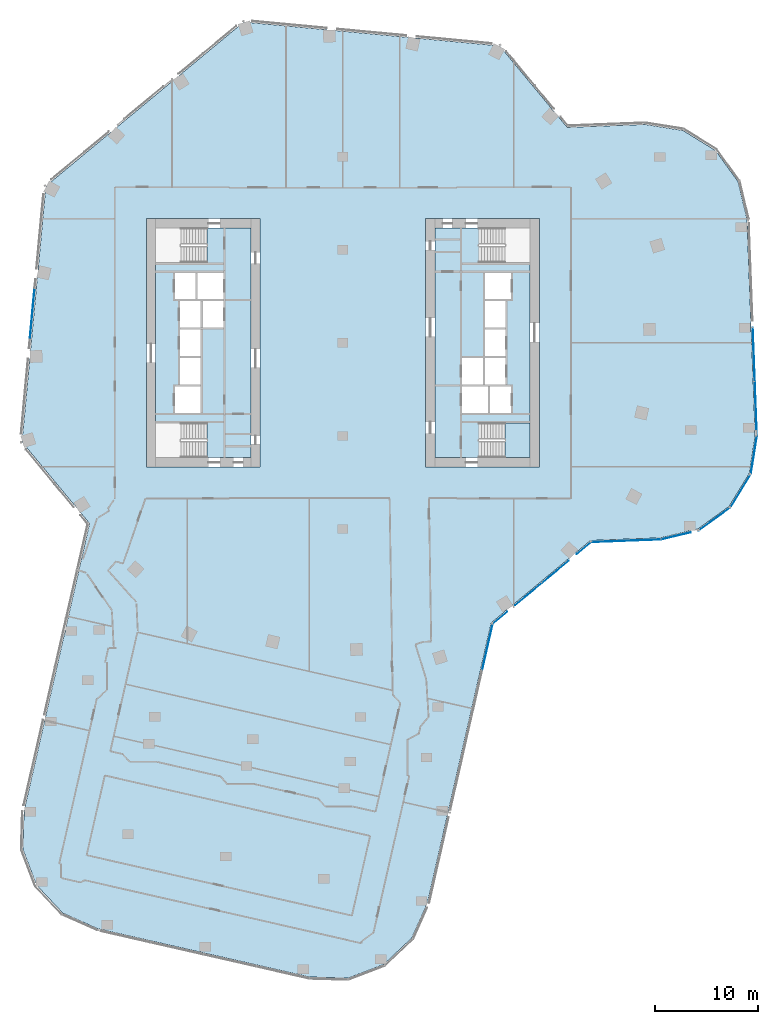
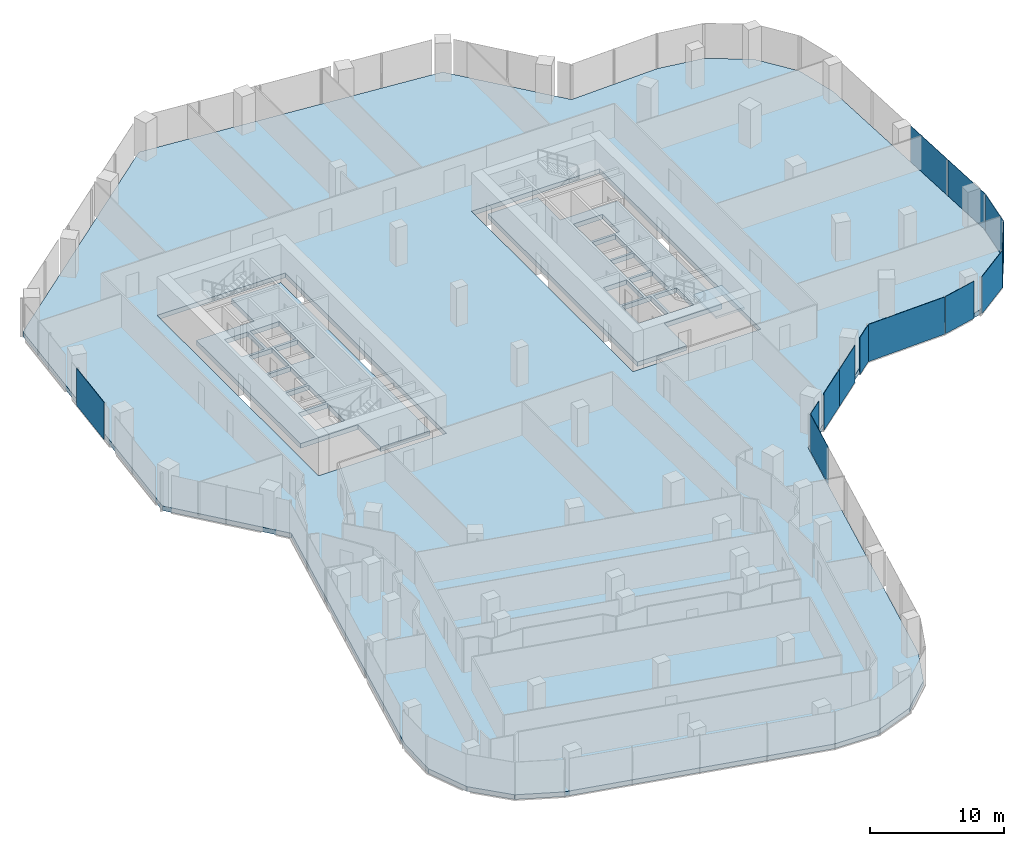
# One storey, part 15 of 24: 13 plates, 4 slabs, 10 elements without a shape of their own.
"""IFC4 building model written with IfcOpenShell, lengths in metres."""

from ifc_helpers import new_model, si_unit, direction, frame, origin, origin_2d, place, context, subcontext, project, spatial, polyline, rectangle, outline, extrude, material, layer, layer_set, type_object, element, aggregate, save


model = new_model("IFC4")

# Units and contexts
model_context = context("Model", 3, precision=1e-05, world=origin(), true_north=direction((0.0, 1.0)))
body_context = subcontext(model_context, "Body", "Model", "MODEL_VIEW")
ifc_project = project(units=[si_unit("LENGTHUNIT", "METRE"), si_unit("AREAUNIT", "SQUARE_METRE"), si_unit("VOLUMEUNIT", "CUBIC_METRE"), si_unit("PLANEANGLEUNIT", "RADIAN"), si_unit("MASSUNIT", "GRAM", prefix="KILO")], contexts=[model_context])

# Site, building, storey
site_placement = place(None, origin())
site = spatial("IfcSite", under=ifc_project, at=site_placement, CompositionType="ELEMENT")
building_placement = place(site_placement, origin())
building = spatial("IfcBuilding", under=site, at=building_placement, Name="Orlundy Tower", CompositionType="ELEMENT")
storey_placement = place(building_placement, frame((0.0, 0.0, 170.60009765625)))
storey = spatial("IfcBuildingStorey", under=building, at=storey_placement, Name="L44", CompositionType="ELEMENT", Elevation=170.60009765625)

# Curtain wall, plate
ifc_material_1 = material(Name="Aluminium bronze anodised", Category="aluminium")
curtain_wall_type = type_object("IfcCurtainWallType", Name="CW1 wall", PredefinedType="NOTDEFINED", material=ifc_material_1)
curtain_wall_1_placement = place(storey_placement, origin())
curtain_wall_1 = element("IfcCurtainWall", 1, at=curtain_wall_1_placement, inside=storey, type_object=curtain_wall_type, Name="CW1 run 02", PredefinedType="NOTDEFINED")
ifc_material_2 = material(Name="Tinted glass", Category="glass")
ifc_layer_1 = layer(ifc_material_2, 0.031982421875)
ifc_layer_set_1 = layer_set([ifc_layer_1], Name="CW1 glass panel 32")
plate_type = type_object("IfcPlateType", Name="CW1 glass panel 32", PredefinedType="CURTAIN_PANEL", material=ifc_layer_set_1)
plate_1_placement = place(storey_placement, frame((-30.033203125, 2.8037109375, -0.300048828125), z_axis=(0.0, 0.0, 1.0), x_axis=(0.092948066811, 0.995670958136, 0.0)))
plate_1 = element("IfcPlate", 2, at=plate_1_placement, type_object=plate_type, Name="CW1 panel", PredefinedType="CURTAIN_PANEL", context=body_context, shape_type="SweptSolid", body=[
    extrude(rectangle(XDim=4.92041015625, YDim=0.031982421875, at=origin_2d()), origin(), (0.0, 0.0, 1.0), 3.3798828125),
])
aggregate(curtain_wall_1, [plate_1])

# Curtain wall, plates
curtain_wall_2_placement = place(storey_placement, origin())
curtain_wall_2 = element("IfcCurtainWall", 3, at=curtain_wall_2_placement, inside=storey, type_object=curtain_wall_type, Name="CW1 run 011", PredefinedType="NOTDEFINED")
plate_2_placement = place(storey_placement, frame((39.735107421875, -1.12353515625, -0.300048828125), z_axis=(0.0, 0.0, 1.0), x_axis=(0.03780949547, -0.999284965389, 0.0)))
plate_2 = element("IfcPlate", 4, at=plate_2_placement, type_object=plate_type, Name="CW1 panel", PredefinedType="CURTAIN_PANEL", context=body_context, shape_type="SweptSolid", body=[
    extrude(rectangle(XDim=5.199951171875, YDim=0.031982421875, at=origin_2d()), origin(), (0.0, 0.0, 1.0), 3.3798828125),
])
plate_3_placement = place(storey_placement, frame((39.933837890625, -6.377685546875, -0.300048828125), z_axis=(0.0, 0.0, 1.0), x_axis=(0.03780949547, -0.999284965389, 0.0)))
plate_3 = element("IfcPlate", 5, at=plate_3_placement, type_object=plate_type, Name="CW1 panel", PredefinedType="CURTAIN_PANEL", context=body_context, shape_type="SweptSolid", body=[
    extrude(rectangle(XDim=5.216064453125, YDim=0.031982421875, at=origin_2d()), origin(), (0.0, 0.0, 1.0), 3.3798828125),
])
aggregate(curtain_wall_2, [plate_2, plate_3])

# Curtain wall, plate
curtain_wall_3_placement = place(storey_placement, origin())
curtain_wall_3 = element("IfcCurtainWall", 6, at=curtain_wall_3_placement, inside=storey, type_object=curtain_wall_type, Name="CW1 run 012", PredefinedType="NOTDEFINED")
plate_4_placement = place(storey_placement, frame((39.735107421875, -10.87548828125, -0.300048828125), z_axis=(0.0, 0.0, 1.0), x_axis=(-0.157832660108, -0.987465873539, 0.0)))
plate_4 = element("IfcPlate", 7, at=plate_4_placement, type_object=plate_type, Name="CW1 panel", PredefinedType="CURTAIN_PANEL", context=body_context, shape_type="SweptSolid", body=[
    extrude(rectangle(XDim=3.730224609375, YDim=0.031982421875, at=origin_2d()), origin(), (0.0, 0.0, 1.0), 3.3798828125),
])
aggregate(curtain_wall_3, [plate_4])

curtain_wall_4_placement = place(storey_placement, origin())
curtain_wall_4 = element("IfcCurtainWall", 8, at=curtain_wall_4_placement, inside=storey, type_object=curtain_wall_type, Name="CW1 run 013", PredefinedType="NOTDEFINED")
plate_5_placement = place(storey_placement, frame((38.45263671875, -14.323974609375, -0.300048828125), z_axis=(0.0, 0.0, 1.0), x_axis=(-0.523826505898, -0.851824977163, 0.0)))
plate_5 = element("IfcPlate", 9, at=plate_5_placement, type_object=plate_type, Name="CW1 panel", PredefinedType="CURTAIN_PANEL", context=body_context, shape_type="SweptSolid", body=[
    extrude(rectangle(XDim=3.772705078125, YDim=0.031982421875, at=origin_2d()), origin(), (0.0, 0.0, 1.0), 3.3798828125),
])
aggregate(curtain_wall_4, [plate_5])

curtain_wall_5_placement = place(storey_placement, origin())
curtain_wall_5 = element("IfcCurtainWall", 10, at=curtain_wall_5_placement, inside=storey, type_object=curtain_wall_type, Name="CW1 run 014", PredefinedType="NOTDEFINED")
plate_6_placement = place(storey_placement, frame((35.937255859375, -17.036865234375, -0.300048828125), z_axis=(0.0, 0.0, 1.0), x_axis=(-0.809924443503, -0.586534223909, 0.0)))
plate_6 = element("IfcPlate", 11, at=plate_6_placement, type_object=plate_type, Name="CW1 panel", PredefinedType="CURTAIN_PANEL", context=body_context, shape_type="SweptSolid", body=[
    extrude(rectangle(XDim=3.771728515625, YDim=0.031982421875, at=origin_2d()), origin(), (0.0, 0.0, 1.0), 3.3798828125),
])
aggregate(curtain_wall_5, [plate_6])

curtain_wall_6_placement = place(storey_placement, origin())
curtain_wall_6 = element("IfcCurtainWall", 12, at=curtain_wall_6_placement, inside=storey, type_object=curtain_wall_type, Name="CW1 run 015", PredefinedType="NOTDEFINED")
plate_7_placement = place(storey_placement, frame((32.206298828125, -18.669189453125, -0.300048828125), z_axis=(0.0, 0.0, 1.0), x_axis=(-0.972643862343, -0.232301349645, 0.0)))
plate_7 = element("IfcPlate", 13, at=plate_7_placement, type_object=plate_type, Name="CW1 panel", PredefinedType="CURTAIN_PANEL", context=body_context, shape_type="SweptSolid", body=[
    extrude(rectangle(XDim=2.92919921875, YDim=0.031982421875, at=origin_2d()), origin(), (0.0, 0.0, 1.0), 3.3798828125),
])
aggregate(curtain_wall_6, [plate_7])

curtain_wall_7_placement = place(storey_placement, origin())
curtain_wall_7 = element("IfcCurtainWall", 14, at=curtain_wall_7_placement, inside=storey, type_object=curtain_wall_type, Name="CW1 run 016", PredefinedType="NOTDEFINED")
plate_8_placement = place(storey_placement, frame((27.37451171875, -19.14306640625, -0.300048828125), z_axis=(0.0, 0.0, 1.0), x_axis=(-0.999287923787, -0.037731225433, 0.0)))
plate_8 = element("IfcPlate", 15, at=plate_8_placement, type_object=plate_type, Name="CW1 panel", PredefinedType="CURTAIN_PANEL", context=body_context, shape_type="SweptSolid", body=[
    extrude(rectangle(XDim=6.72021484375, YDim=0.031982421875, at=origin_2d()), origin(), (0.0, 0.0, 1.0), 3.3798828125),
])
aggregate(curtain_wall_7, [plate_8])

# Curtain wall, plates
curtain_wall_8_placement = place(storey_placement, origin())
curtain_wall_8 = element("IfcCurtainWall", 16, at=curtain_wall_8_placement, inside=storey, type_object=curtain_wall_type, Name="CW1 run 017", PredefinedType="NOTDEFINED")
plate_9_placement = place(storey_placement, frame((23.319091796875, -19.848388671875, -0.300048828125), z_axis=(0.0, 0.0, 1.0), x_axis=(-0.769761799816, -0.638331239674, 0.0)))
plate_9 = element("IfcPlate", 17, at=plate_9_placement, type_object=plate_type, Name="CW1 panel", PredefinedType="CURTAIN_PANEL", context=body_context, shape_type="SweptSolid", body=[
    extrude(rectangle(XDim=1.81298828125, YDim=0.031982421875, at=origin_2d()), origin(), (0.0, 0.0, 1.0), 3.3798828125),
])
plate_10_placement = place(storey_placement, frame((20.555908203125, -22.139892578125, -0.300048828125), z_axis=(0.0, 0.0, 1.0), x_axis=(-0.769761799816, -0.638331239674, 0.0)))
plate_10 = element("IfcPlate", 18, at=plate_10_placement, type_object=plate_type, Name="CW1 panel", PredefinedType="CURTAIN_PANEL", context=body_context, shape_type="SweptSolid", body=[
    extrude(rectangle(XDim=3.33203125, YDim=0.031982421875, at=origin_2d()), origin(), (0.0, 0.0, 1.0), 3.3798828125),
])
plate_11_placement = place(storey_placement, frame((17.95263671875, -24.298583984375, -0.300048828125), z_axis=(0.0, 0.0, 1.0), x_axis=(-0.769761799816, -0.638331239674, 0.0)))
plate_11 = element("IfcPlate", 19, at=plate_11_placement, type_object=plate_type, Name="CW1 panel", PredefinedType="CURTAIN_PANEL", context=body_context, shape_type="SweptSolid", body=[
    extrude(rectangle(XDim=3.331787109375, YDim=0.031982421875, at=origin_2d()), origin(), (0.0, 0.0, 1.0), 3.3798828125),
])
plate_12_placement = place(storey_placement, frame((15.189453125, -26.58984375, -0.300048828125), z_axis=(0.0, 0.0, 1.0), x_axis=(-0.769761799816, -0.638331239674, 0.0)))
plate_12 = element("IfcPlate", 20, at=plate_12_placement, type_object=plate_type, Name="CW1 panel", PredefinedType="CURTAIN_PANEL", context=body_context, shape_type="SweptSolid", body=[
    extrude(rectangle(XDim=1.8134765625, YDim=0.031982421875, at=origin_2d()), origin(), (0.0, 0.0, 1.0), 3.3798828125),
])
aggregate(curtain_wall_8, [plate_9, plate_10, plate_11, plate_12])

# Curtain wall, plate
curtain_wall_9_placement = place(storey_placement, origin())
curtain_wall_9 = element("IfcCurtainWall", 21, at=curtain_wall_9_placement, inside=storey, type_object=curtain_wall_type, Name="CW1 run 018", PredefinedType="NOTDEFINED")
plate_13_placement = place(storey_placement, frame((13.986328125, -29.386962890625, -0.300048828125), z_axis=(0.0, 0.0, 1.0), x_axis=(-0.222106437373, -0.975022425628, 0.0)))
plate_13 = element("IfcPlate", 22, at=plate_13_placement, type_object=plate_type, Name="CW1 panel", PredefinedType="CURTAIN_PANEL", context=body_context, shape_type="SweptSolid", body=[
    extrude(rectangle(XDim=4.550048828125, YDim=0.031982421875, at=origin_2d()), origin(), (0.0, 0.0, 1.0), 3.3798828125),
])
aggregate(curtain_wall_9, [plate_13])

# Slabs
ifc_material_3 = material(Name="Concrete C50/60", Category="concrete")
ifc_layer_2 = layer(ifc_material_3, 0.419921875)
ifc_layer_set_2 = layer_set([ifc_layer_2], Name="Core Floor Slab 420")
slab_type_1 = type_object("IfcSlabType", Name="Core Floor Slab 420", PredefinedType="FLOOR", material=ifc_layer_set_2)
slab_1_placement = place(storey_placement, frame((0.0, 0.0, -0.420166015625)))
element("IfcSlab", 23, at=slab_1_placement, inside=storey, type_object=slab_type_1, Name="Core floor W35", PredefinedType="FLOOR", context=body_context, shape_type="SweptSolid", body=[
    extrude(outline(polyline([(-13.14501953125, -11.10009765625), (-13.14501953125, -7.75), (-18.10009765625, -7.75), (-18.10009765625, 7.75), (-13.14501953125, 7.75), (-13.14501953125, 11.10009765625), (-8.89990234375, 11.10009765625), (-8.89990234375, -11.10009765625), (-13.14501953125, -11.10009765625)]), holes=[polyline([(-13.739990234375, -4.22509765625), (-16.239990234375, -4.22509765625), (-16.239990234375, -6.77490234375), (-13.739990234375, -6.77490234375), (-13.739990234375, -4.22509765625)]), polyline([(-13.739990234375, -4.02490234375), (-13.739990234375, -1.47509765625), (-15.739990234375, -1.47509765625), (-15.739990234375, -4.02490234375), (-13.739990234375, -4.02490234375)]), polyline([(-15.739990234375, -1.27490234375), (-13.739990234375, -1.27490234375), (-13.739990234375, 1.27490234375), (-15.739990234375, 1.27490234375), (-15.739990234375, -1.27490234375)]), polyline([(-13.5400390625, 4.02490234375), (-13.5400390625, 1.47509765625), (-11.5400390625, 1.47509765625), (-11.5400390625, 4.02490234375), (-13.5400390625, 4.02490234375)]), polyline([(-13.739990234375, 4.02490234375), (-15.739990234375, 4.02490234375), (-15.739990234375, 1.47509765625), (-13.739990234375, 1.47509765625), (-13.739990234375, 4.02490234375)]), polyline([(-11.5400390625, 4.22509765625), (-11.5400390625, 6.77490234375), (-14.0400390625, 6.77490234375), (-14.0400390625, 4.22509765625), (-11.5400390625, 4.22509765625)]), polyline([(-16.239990234375, 4.22509765625), (-14.239990234375, 4.22509765625), (-14.239990234375, 6.77490234375), (-16.239990234375, 6.77490234375), (-16.239990234375, 4.22509765625)])]), origin(), (0.0, 0.0, 1.0), 0.420166015625),
])
slab_2_placement = place(storey_placement, frame((0.0, 0.0, -0.420166015625)))
element("IfcSlab", 24, at=slab_2_placement, inside=storey, type_object=slab_type_1, Name="Core floor E35", PredefinedType="FLOOR", context=body_context, shape_type="SweptSolid", body=[
    extrude(outline(polyline([(13.14501953125, 11.10009765625), (13.14501953125, 7.75), (18.10009765625, 7.75), (18.10009765625, -7.75), (13.14501953125, -7.75), (13.14501953125, -11.10009765625), (8.89990234375, -11.10009765625), (8.89990234375, 11.10009765625), (13.14501953125, 11.10009765625)]), holes=[polyline([(13.739990234375, 4.22509765625), (16.239990234375, 4.22509765625), (16.239990234375, 6.77490234375), (13.739990234375, 6.77490234375), (13.739990234375, 4.22509765625)]), polyline([(13.739990234375, 4.02490234375), (13.739990234375, 1.47509765625), (15.739990234375, 1.47509765625), (15.739990234375, 4.02490234375), (13.739990234375, 4.02490234375)]), polyline([(15.739990234375, 1.27490234375), (13.739990234375, 1.27490234375), (13.739990234375, -1.27490234375), (15.739990234375, -1.27490234375), (15.739990234375, 1.27490234375)]), polyline([(13.5400390625, -4.02490234375), (13.5400390625, -1.47509765625), (11.5400390625, -1.47509765625), (11.5400390625, -4.02490234375), (13.5400390625, -4.02490234375)]), polyline([(13.739990234375, -4.02490234375), (15.739990234375, -4.02490234375), (15.739990234375, -1.47509765625), (13.739990234375, -1.47509765625), (13.739990234375, -4.02490234375)]), polyline([(11.5400390625, -4.22509765625), (11.5400390625, -6.77490234375), (14.0400390625, -6.77490234375), (14.0400390625, -4.22509765625), (11.5400390625, -4.22509765625)]), polyline([(16.239990234375, -4.22509765625), (14.239990234375, -4.22509765625), (14.239990234375, -6.77490234375), (16.239990234375, -6.77490234375), (16.239990234375, -4.22509765625)])]), origin(), (0.0, 0.0, 1.0), 0.420166015625),
])

# Stair, slab
ifc_material_4 = material(Name="Concrete C50/60", Category="concrete")
stair_type = type_object("IfcStairType", Name="Exit Stair 20 risers", PredefinedType="HALF_TURN_STAIR", material=ifc_material_4)
stair_placement = place(storey_placement, origin())
stair = element("IfcStair", 25, at=stair_placement, inside=storey, type_object=stair_type, Name="L44 Exit Stair ST-E1", PredefinedType="HALF_TURN_STAIR")
ifc_material_5 = material(Name="Concrete C50/60", Category="concrete")
ifc_layer_3 = layer(ifc_material_5, 0.199951171875)
ifc_layer_set_3 = layer_set([ifc_layer_3], Name="Exit Stair Landing")
slab_type_2 = type_object("IfcSlabType", Name="Exit Stair Landing", PredefinedType="LANDING", material=ifc_layer_set_3)
slab_3_placement = place(storey_placement, frame((0.0, 0.0, 1.5498046875)))
slab_3 = element("IfcSlab", 26, at=slab_3_placement, type_object=slab_type_2, Name="ST-E1 landing 1", PredefinedType="LANDING", context=body_context, shape_type="SweptSolid", body=[
    extrude(outline(polyline([(15.659912109375, -11.10009765625), (18.10009765625, -11.10009765625), (18.10009765625, -7.75), (15.659912109375, -7.75), (15.659912109375, -11.10009765625)])), origin(), (0.0, 0.0, 1.0), 0.2001953125),
])
aggregate(stair, [slab_3])

# Slab
ifc_material_6 = material(Name="Concrete C45/55", Category="concrete")
ifc_layer_4 = layer(ifc_material_6, 0.419921875)
ifc_layer_set_4 = layer_set([ifc_layer_4], Name="TRANSFER FLOOR SLAB 420 C45/55")
slab_type_3 = type_object("IfcSlabType", Name="TRANSFER FLOOR SLAB 420 C45/55", PredefinedType="FLOOR", material=ifc_layer_set_4)
slab_4_placement = place(storey_placement, frame((0.0, 0.0, -0.420166015625)))
element("IfcSlab", 27, at=slab_4_placement, inside=storey, type_object=slab_type_3, Name="Floor slab L44", PredefinedType="FLOOR", context=body_context, shape_type="SweptSolid", body=[
    extrude(outline(polyline([(-24.490966796875, -17.464111328125), (-31.02490234375, -9.583984375), (-28.715087890625, 15.160888671875), (-9.583984375, 31.02490234375), (15.160888671875, 28.715087890625), (21.695068359375, 20.8349609375), (29.221923828125, 21.1201171875), (32.883056640625, 20.534912109375), (36.0400390625, 18.593017578125), (38.215087890625, 15.591064453125), (39.074951171875, 11.986083984375), (39.868896484375, -8.9990234375), (39.283935546875, -12.658935546875), (37.342041015625, -15.81689453125), (34.340087890625, -17.990966796875), (30.735107421875, -18.85205078125), (23.955078125, -19.10791015625), (14.343994140625, -27.077880859375), (8.173095703125, -54.16796875), (6.659912109375, -57.552001953125), (3.967041015625, -60.10009765625), (0.5048828125, -61.423095703125), (-3.199951171875, -61.321044921875), (-23.676025390625, -56.656982421875), (-27.06005859375, -55.14404296875), (-29.60693359375, -52.450927734375), (-30.930908203125, -48.989013671875), (-30.827880859375, -45.283935546875), (-24.490966796875, -17.464111328125)]), holes=[polyline([(-8.0, -12.0), (-8.0, 12.0), (-19.0, 12.0), (-19.0, -12.0), (-8.0, -12.0)]), polyline([(19.0, -12.0), (19.0, 12.0), (8.0, 12.0), (8.0, -12.0), (19.0, -12.0)])]), origin(), (0.0, 0.0, 1.0), 0.420166015625),
])

save(model, "model.ifc")
